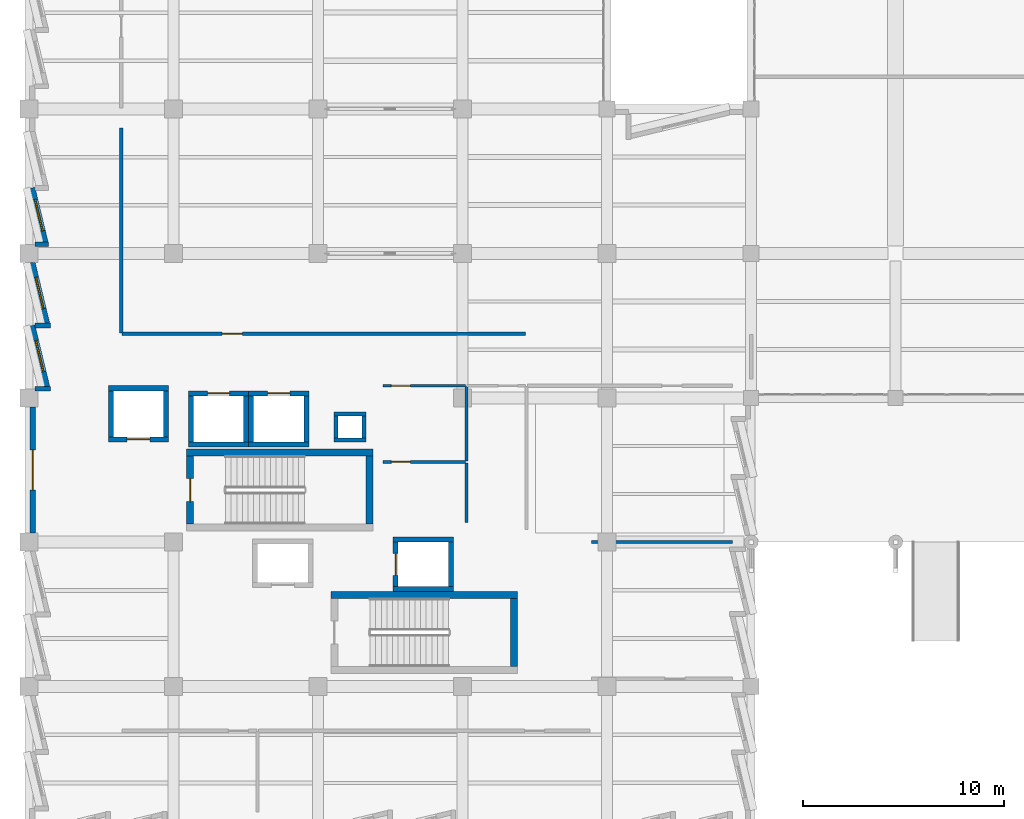
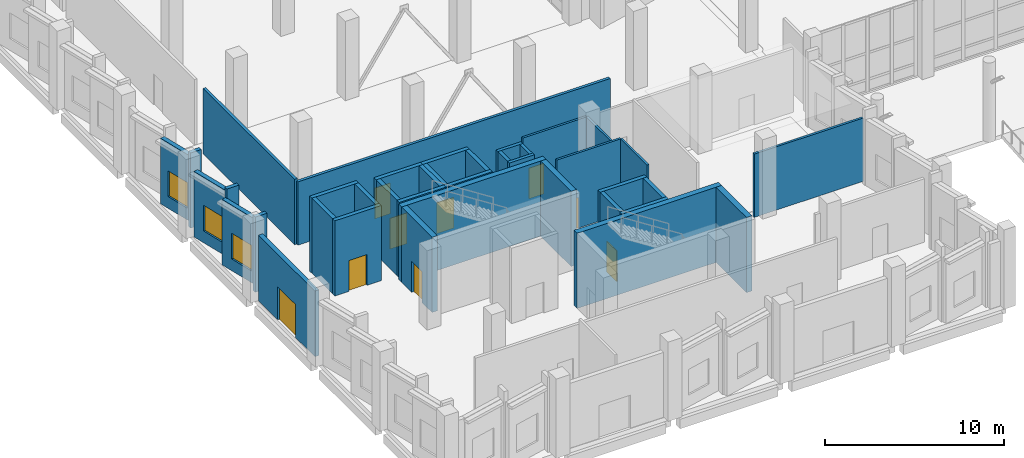
# One storey, part 103 of 137: 39 walls, 9 doors, 3 windows, 12 openings.
"""IFC4 building model written with IfcOpenShell, lengths in metres."""

from ifc_helpers import new_model, si_unit, direction, frame, frame_2d, origin, place, context, subcontext, project, spatial, rectangle, extrude, material, layer, layer_set, type_object, element, fill, save


model = new_model("IFC4")

# Units and contexts
model_context = context("Model", 3, precision=1e-05, world=origin(), true_north=direction((0.0, 1.0)))
body_context = subcontext(model_context, "Body", "Model", "MODEL_VIEW")
ifc_project = project(units=[si_unit("LENGTHUNIT", "METRE"), si_unit("AREAUNIT", "SQUARE_METRE"), si_unit("VOLUMEUNIT", "CUBIC_METRE"), si_unit("PLANEANGLEUNIT", "RADIAN"), si_unit("MASSUNIT", "GRAM", prefix="KILO")], contexts=[model_context])

# Site, building, storey
site_placement = place(None, origin())
site = spatial("IfcSite", under=ifc_project, at=site_placement, CompositionType="ELEMENT")
building_placement = place(site_placement, origin())
building = spatial("IfcBuilding", under=site, at=building_placement, Name="Kalmorath City Hall", CompositionType="ELEMENT")
storey_placement = place(building_placement, origin())
storey = spatial("IfcBuildingStorey", under=building, at=storey_placement, Name="L00", CompositionType="ELEMENT", Elevation=0.0)

# Wall
ifc_material_1 = material(Name="Concrete C50/60", Category="concrete")
ifc_layer_1 = layer(ifc_material_1, 0.35009765625)
ifc_layer_set_1 = layer_set([ifc_layer_1], Name="Concrete C50/60")
wall_type_1 = type_object("IfcWallType", Name="Concrete core shear wall 350", PredefinedType="SHEAR", material=ifc_layer_set_1)
wall_1_placement = place(storey_placement, frame((17.14990234375, 18.875, 0.0), z_axis=(0.0, 0.0, 1.0), x_axis=(-1.0, 0.0, 0.0)))
element("IfcWall", 1, at=wall_1_placement, inside=storey, type_object=wall_type_1, Name="L00 C1 stair core shear wall N", PredefinedType="SHEAR", context=body_context, shape_type="SweptSolid", body=[
    extrude(rectangle(XDim=9.2998046875, YDim=0.35009765625, at=frame_2d((4.64990234375, 0.0))), origin(), (0.0, 0.0, 1.0), 5.1201171875),
])

# Wall, opening, door
wall_2_placement = place(storey_placement, frame((8.02490234375, 18.699951171875, 0.0), z_axis=(0.0, 0.0, 1.0), x_axis=(0.0, -1.0, 0.0)))
wall_2 = element("IfcWall", 2, at=wall_2_placement, inside=storey, type_object=wall_type_1, Name="L00 C1 stair core shear wall W", PredefinedType="SHEAR", context=body_context, shape_type="SweptSolid", body=[
    extrude(rectangle(XDim=3.39990234375, YDim=0.35009765625, at=frame_2d((1.699951171875, 0.0))), origin(), (0.0, 0.0, 1.0), 5.1201171875),
])
opening_1_placement = place(wall_2_placement, frame((1.125, 0.0, 0.0)))
opening_1 = element("IfcOpeningElement", 3, at=opening_1_placement, cuts=wall_2, Name="Opening D-L00-002", PredefinedType="OPENING", context=body_context, shape_type="SweptSolid", body=[
    extrude(rectangle(XDim=1.14990234375, YDim=2.10009765625, at=frame_2d((0.574951171875, 1.050048828125))), frame((0.0, 0.18505859375, 0.0), z_axis=(0.0, -1.0, 0.0), x_axis=(1.0, 0.0, 0.0)), (0.0, 0.0, 1.0), 0.3701171875),
])
ifc_material_2 = material(Name="Galvanised steel fire door", Category="steel")
door_type_1 = type_object("IfcDoorType", Name="Stair enclosure 90-min fire door 1150x2100", OperationType="NOTDEFINED", PredefinedType="DOOR", material=ifc_material_2)
door_1_placement = place(opening_1_placement, frame((1.14990234375, 0.0, 0.0), z_axis=(0.0, 0.0, 1.0), x_axis=(-1.0, 0.0, 0.0)))
door_1 = element("IfcDoor", 4, at=door_1_placement, inside=storey, type_object=door_type_1, Name="L00 door D-L00-002", OperationType="SINGLE_SWING_RIGHT", OverallHeight=2.10009765625, OverallWidth=1.14990234375, PredefinedType="DOOR", context=body_context, shape_type="SweptSolid", body=[
    extrude(rectangle(XDim=1.14990234375, YDim=2.10009765625, at=frame_2d((0.574951171875, 1.050048828125))), frame((0.0, 0.02490234375, 0.0), z_axis=(0.0, -1.0, 0.0), x_axis=(1.0, 0.0, 0.0)), (0.0, 0.0, 1.0), 0.050048828125),
])
fill(opening_1, door_1)

# Walls
wall_3_placement = place(storey_placement, frame((16.97509765625, 15.300048828125, 0.0), z_axis=(0.0, 0.0, 1.0), x_axis=(0.0, 1.0, 0.0)))
element("IfcWall", 5, at=wall_3_placement, inside=storey, type_object=wall_type_1, Name="L00 C1 stair core shear wall E", PredefinedType="SHEAR", context=body_context, shape_type="SweptSolid", body=[
    extrude(rectangle(XDim=3.39990234375, YDim=0.35009765625, at=frame_2d((1.699951171875, 0.0))), origin(), (0.0, 0.0, 1.0), 5.1201171875),
])
wall_4_placement = place(storey_placement, frame((24.35009765625, 11.77490234375, 0.0), z_axis=(0.0, 0.0, 1.0), x_axis=(-1.0, 0.0, 0.0)))
element("IfcWall", 6, at=wall_4_placement, inside=storey, type_object=wall_type_1, Name="L00 C2 stair core shear wall N", PredefinedType="SHEAR", context=body_context, shape_type="SweptSolid", body=[
    extrude(rectangle(XDim=9.300048828125, YDim=0.35009765625, at=frame_2d((4.64990234375, 0.0))), origin(), (0.0, 0.0, 1.0), 5.1201171875),
])
wall_5_placement = place(storey_placement, frame((24.175048828125, 8.199951171875, 0.0), z_axis=(0.0, 0.0, 1.0), x_axis=(0.0, 1.0, 0.0)))
element("IfcWall", 7, at=wall_5_placement, inside=storey, type_object=wall_type_1, Name="L00 C2 stair core shear wall E", PredefinedType="SHEAR", context=body_context, shape_type="SweptSolid", body=[
    extrude(rectangle(XDim=3.400146484375, YDim=0.35009765625, at=frame_2d((1.7001953125, 0.0))), origin(), (0.0, 0.0, 1.0), 5.1201171875),
])

# Wall, opening, door
ifc_material_3 = material(Name="Concrete C50/60", Category="concrete")
ifc_layer_2 = layer(ifc_material_3, 0.25)
ifc_layer_set_2 = layer_set([ifc_layer_2], Name="Concrete C50/60")
wall_type_2 = type_object("IfcWallType", Name="Concrete lift shaft wall 250", PredefinedType="SHEAR", material=ifc_layer_set_2)
wall_6_placement = place(storey_placement, frame((3.949951171875, 19.52490234375, 0.0), z_axis=(0.0, 0.0, 1.0), x_axis=(1.0, 0.0, 0.0)))
wall_6 = element("IfcWall", 8, at=wall_6_placement, inside=storey, type_object=wall_type_2, Name="L00 FL1 lift shaft wall -y", PredefinedType="SHEAR", context=body_context, shape_type="SweptSolid", body=[
    extrude(rectangle(XDim=3.0, YDim=0.25, at=frame_2d((1.5, 0.0))), origin(), (0.0, 0.0, 1.0), 5.1201171875),
])
opening_2_placement = place(wall_6_placement, frame((0.925048828125, 0.0, 0.0)))
opening_2 = element("IfcOpeningElement", 9, at=opening_2_placement, cuts=wall_6, Name="Opening LD-011", PredefinedType="OPENING", context=body_context, shape_type="SweptSolid", body=[
    extrude(rectangle(XDim=1.14990234375, YDim=2.10009765625, at=frame_2d((0.574951171875, 1.050048828125))), frame((0.0, 0.135009765625, 0.0), z_axis=(0.0, -1.0, 0.0), x_axis=(1.0, 0.0, 0.0)), (0.0, 0.0, 1.0), 0.27001953125),
])
ifc_material_4 = material(Name="Stainless steel sliding landing door", Category="steel")
door_type_2 = type_object("IfcDoorType", Name="Firefighting lift sliding landing door 1150x2100", OperationType="SLIDING_TO_RIGHT", PredefinedType="DOOR", material=ifc_material_4)
door_2_placement = place(opening_2_placement, origin())
door_2 = element("IfcDoor", 10, at=door_2_placement, inside=storey, type_object=door_type_2, Name="L00 door LD-011", OperationType="SLIDING_TO_RIGHT", OverallHeight=2.10009765625, OverallWidth=1.14990234375, PredefinedType="DOOR", context=body_context, shape_type="SweptSolid", body=[
    extrude(rectangle(XDim=1.14990234375, YDim=2.10009765625, at=frame_2d((0.574951171875, 1.050048828125))), frame((0.0, 0.02490234375, 0.0), z_axis=(0.0, -1.0, 0.0), x_axis=(1.0, 0.0, 0.0)), (0.0, 0.0, 1.0), 0.050048828125),
])
fill(opening_2, door_2)

# Walls
wall_7_placement = place(storey_placement, frame((6.949951171875, 22.074951171875, 0.0), z_axis=(0.0, 0.0, 1.0), x_axis=(-1.0, 0.0, 0.0)))
element("IfcWall", 11, at=wall_7_placement, inside=storey, type_object=wall_type_2, Name="L00 FL1 lift shaft wall +y", PredefinedType="SHEAR", context=body_context, shape_type="SweptSolid", body=[
    extrude(rectangle(XDim=3.0, YDim=0.25, at=frame_2d((1.5, 0.0))), origin(), (0.0, 0.0, 1.0), 5.1201171875),
])
for number, where, z_axis, x_axis, name in (
    (12, (4.074951171875, 21.949951171875, 0.0), (0.0, 0.0, 1.0), (0.0, -1.0, 0.0), "L00 FL1 lift shaft wall -x"),
    (13, (6.824951171875, 19.64990234375, 0.0), (0.0, 0.0, 1.0), (0.0, 1.0, 0.0), "L00 FL1 lift shaft wall +x"),
):
    element("IfcWall", number, at=place(storey_placement, frame(where, z_axis=z_axis, x_axis=x_axis)), inside=storey, type_object=wall_type_2, Name=name, PredefinedType="SHEAR", context=body_context, shape_type="SweptSolid", body=[
        extrude(rectangle(XDim=2.300048828125, YDim=0.25, at=frame_2d((1.14990234375, 0.0))), origin(), (0.0, 0.0, 1.0), 5.1201171875),
    ])
wall_8_placement = place(storey_placement, frame((7.949951171875, 19.27490234375, 0.0), z_axis=(0.0, 0.0, 1.0), x_axis=(1.0, 0.0, 0.0)))
element("IfcWall", 14, at=wall_8_placement, inside=storey, type_object=wall_type_2, Name="L00 PL1 lift shaft wall -y", PredefinedType="SHEAR", context=body_context, shape_type="SweptSolid", body=[
    extrude(rectangle(XDim=3.0, YDim=0.25, at=frame_2d((1.5, 0.0))), origin(), (0.0, 0.0, 1.0), 5.1201171875),
])

# Wall, opening, door
wall_9_placement = place(storey_placement, frame((10.949951171875, 21.824951171875, 0.0), z_axis=(0.0, 0.0, 1.0), x_axis=(-1.0, 0.0, 0.0)))
wall_9 = element("IfcWall", 15, at=wall_9_placement, inside=storey, type_object=wall_type_2, Name="L00 PL1 lift shaft wall +y", PredefinedType="SHEAR", context=body_context, shape_type="SweptSolid", body=[
    extrude(rectangle(XDim=3.0, YDim=0.25, at=frame_2d((1.5, 0.0))), origin(), (0.0, 0.0, 1.0), 5.1201171875),
])
opening_3_placement = place(wall_9_placement, frame((0.949951171875, 0.0, 0.0)))
opening_3 = element("IfcOpeningElement", 16, at=opening_3_placement, cuts=wall_9, Name="Opening LD-020", PredefinedType="OPENING", context=body_context, shape_type="SweptSolid", body=[
    extrude(rectangle(XDim=1.10009765625, YDim=2.10009765625, at=frame_2d((0.550048828125, 1.050048828125))), frame((0.0, 0.135009765625, 0.0), z_axis=(0.0, -1.0, 0.0), x_axis=(1.0, 0.0, 0.0)), (0.0, 0.0, 1.0), 0.27001953125),
])
ifc_material_5 = material(Name="Stainless steel sliding landing door", Category="steel")
door_type_3 = type_object("IfcDoorType", Name="Passenger lift sliding landing door 1100x2100", OperationType="SLIDING_TO_LEFT", PredefinedType="DOOR", material=ifc_material_5)
door_3_placement = place(opening_3_placement, origin())
door_3 = element("IfcDoor", 17, at=door_3_placement, inside=storey, type_object=door_type_3, Name="L00 door LD-020", OperationType="SLIDING_TO_LEFT", OverallHeight=2.10009765625, OverallWidth=1.10009765625, PredefinedType="DOOR", context=body_context, shape_type="SweptSolid", body=[
    extrude(rectangle(XDim=1.10009765625, YDim=2.10009765625, at=frame_2d((0.550048828125, 1.050048828125))), frame((0.0, 0.02490234375, 0.0), z_axis=(0.0, -1.0, 0.0), x_axis=(1.0, 0.0, 0.0)), (0.0, 0.0, 1.0), 0.050048828125),
])
fill(opening_3, door_3)

# Walls
for number, where, z_axis, x_axis, name in (
    (18, (8.074951171875, 21.699951171875, 0.0), (0.0, 0.0, 1.0), (0.0, -1.0, 0.0), "L00 PL1 lift shaft wall -x"),
    (19, (10.824951171875, 19.39990234375, 0.0), (0.0, 0.0, 1.0), (0.0, 1.0, 0.0), "L00 PL1 lift shaft wall +x"),
):
    element("IfcWall", number, at=place(storey_placement, frame(where, z_axis=z_axis, x_axis=x_axis)), inside=storey, type_object=wall_type_2, Name=name, PredefinedType="SHEAR", context=body_context, shape_type="SweptSolid", body=[
        extrude(rectangle(XDim=2.300048828125, YDim=0.25, at=frame_2d((1.14990234375, 0.0))), origin(), (0.0, 0.0, 1.0), 5.1201171875),
    ])
wall_10_placement = place(storey_placement, frame((10.949951171875, 19.27490234375, 0.0), z_axis=(0.0, 0.0, 1.0), x_axis=(1.0, 0.0, 0.0)))
element("IfcWall", 20, at=wall_10_placement, inside=storey, type_object=wall_type_2, Name="L00 PL2 lift shaft wall -y", PredefinedType="SHEAR", context=body_context, shape_type="SweptSolid", body=[
    extrude(rectangle(XDim=3.0, YDim=0.25, at=frame_2d((1.5, 0.0))), origin(), (0.0, 0.0, 1.0), 5.1201171875),
])

# Wall, opening, door
wall_11_placement = place(storey_placement, frame((13.949951171875, 21.824951171875, 0.0), z_axis=(0.0, 0.0, 1.0), x_axis=(-1.0, 0.0, 0.0)))
wall_11 = element("IfcWall", 21, at=wall_11_placement, inside=storey, type_object=wall_type_2, Name="L00 PL2 lift shaft wall +y", PredefinedType="SHEAR", context=body_context, shape_type="SweptSolid", body=[
    extrude(rectangle(XDim=3.0, YDim=0.25, at=frame_2d((1.5, 0.0))), origin(), (0.0, 0.0, 1.0), 5.1201171875),
])
opening_4_placement = place(wall_11_placement, frame((0.949951171875, 0.0, 0.0)))
opening_4 = element("IfcOpeningElement", 22, at=opening_4_placement, cuts=wall_11, Name="Opening LD-029", PredefinedType="OPENING", context=body_context, shape_type="SweptSolid", body=[
    extrude(rectangle(XDim=1.10009765625, YDim=2.10009765625, at=frame_2d((0.550048828125, 1.050048828125))), frame((0.0, 0.135009765625, 0.0), z_axis=(0.0, -1.0, 0.0), x_axis=(1.0, 0.0, 0.0)), (0.0, 0.0, 1.0), 0.27001953125),
])
door_4_placement = place(opening_4_placement, origin())
door_4 = element("IfcDoor", 23, at=door_4_placement, inside=storey, type_object=door_type_3, Name="L00 door LD-029", OperationType="SLIDING_TO_LEFT", OverallHeight=2.10009765625, OverallWidth=1.10009765625, PredefinedType="DOOR", context=body_context, shape_type="SweptSolid", body=[
    extrude(rectangle(XDim=1.10009765625, YDim=2.10009765625, at=frame_2d((0.550048828125, 1.050048828125))), frame((0.0, 0.02490234375, 0.0), z_axis=(0.0, -1.0, 0.0), x_axis=(1.0, 0.0, 0.0)), (0.0, 0.0, 1.0), 0.050048828125),
])
fill(opening_4, door_4)

# Walls
for number, where, z_axis, x_axis, name in (
    (24, (11.074951171875, 21.699951171875, 0.0), (0.0, 0.0, 1.0), (0.0, -1.0, 0.0), "L00 PL2 lift shaft wall -x"),
    (25, (13.824951171875, 19.39990234375, 0.0), (0.0, 0.0, 1.0), (0.0, 1.0, 0.0), "L00 PL2 lift shaft wall +x"),
):
    element("IfcWall", number, at=place(storey_placement, frame(where, z_axis=z_axis, x_axis=x_axis)), inside=storey, type_object=wall_type_2, Name=name, PredefinedType="SHEAR", context=body_context, shape_type="SweptSolid", body=[
        extrude(rectangle(XDim=2.300048828125, YDim=0.25, at=frame_2d((1.14990234375, 0.0))), origin(), (0.0, 0.0, 1.0), 5.1201171875),
    ])
for number, where, z_axis, x_axis, name in (
    (26, (18.14990234375, 12.074951171875, 0.0), (0.0, 0.0, 1.0), (1.0, 0.0, 0.0), "L00 PL3 lift shaft wall -y"),
    (27, (21.14990234375, 14.52490234375, 0.0), (0.0, 0.0, 1.0), (-1.0, 0.0, 0.0), "L00 PL3 lift shaft wall +y"),
):
    element("IfcWall", number, at=place(storey_placement, frame(where, z_axis=z_axis, x_axis=x_axis)), inside=storey, type_object=wall_type_2, Name=name, PredefinedType="SHEAR", context=body_context, shape_type="SweptSolid", body=[
        extrude(rectangle(XDim=3.0, YDim=0.25, at=frame_2d((1.5, 0.0))), origin(), (0.0, 0.0, 1.0), 5.1201171875),
    ])

# Wall, opening, door
wall_12_placement = place(storey_placement, frame((18.27490234375, 14.39990234375, 0.0), z_axis=(0.0, 0.0, 1.0), x_axis=(0.0, -1.0, 0.0)))
wall_12 = element("IfcWall", 28, at=wall_12_placement, inside=storey, type_object=wall_type_2, Name="L00 PL3 lift shaft wall -x", PredefinedType="SHEAR", context=body_context, shape_type="SweptSolid", body=[
    extrude(rectangle(XDim=2.199951171875, YDim=0.25, at=frame_2d((1.10009765625, 0.0))), origin(), (0.0, 0.0, 1.0), 5.1201171875),
])
opening_5_placement = place(wall_12_placement, frame((0.550048828125, 0.0, 0.0)))
opening_5 = element("IfcOpeningElement", 29, at=opening_5_placement, cuts=wall_12, Name="Opening LD-056", PredefinedType="OPENING", context=body_context, shape_type="SweptSolid", body=[
    extrude(rectangle(XDim=1.10009765625, YDim=2.10009765625, at=frame_2d((0.550048828125, 1.050048828125))), frame((0.0, 0.135009765625, 0.0), z_axis=(0.0, -1.0, 0.0), x_axis=(1.0, 0.0, 0.0)), (0.0, 0.0, 1.0), 0.27001953125),
])
door_5_placement = place(opening_5_placement, origin())
door_5 = element("IfcDoor", 30, at=door_5_placement, inside=storey, type_object=door_type_3, Name="L00 door LD-056", OperationType="SLIDING_TO_LEFT", OverallHeight=2.10009765625, OverallWidth=1.10009765625, PredefinedType="DOOR", context=body_context, shape_type="SweptSolid", body=[
    extrude(rectangle(XDim=1.10009765625, YDim=2.10009765625, at=frame_2d((0.550048828125, 1.050048828125))), frame((0.0, 0.02490234375, 0.0), z_axis=(0.0, -1.0, 0.0), x_axis=(1.0, 0.0, 0.0)), (0.0, 0.0, 1.0), 0.050048828125),
])
fill(opening_5, door_5)

# Walls
wall_13_placement = place(storey_placement, frame((21.02490234375, 12.199951171875, 0.0), z_axis=(0.0, 0.0, 1.0), x_axis=(0.0, 1.0, 0.0)))
element("IfcWall", 31, at=wall_13_placement, inside=storey, type_object=wall_type_2, Name="L00 PL3 lift shaft wall +x", PredefinedType="SHEAR", context=body_context, shape_type="SweptSolid", body=[
    extrude(rectangle(XDim=2.199951171875, YDim=0.25, at=frame_2d((1.10009765625, 0.0))), origin(), (0.0, 0.0, 1.0), 5.1201171875),
])
ifc_material_6 = material(Name="Concrete C40/50", Category="concrete")
ifc_layer_3 = layer(ifc_material_6, 0.199951171875)
ifc_layer_set_3 = layer_set([ifc_layer_3], Name="Concrete C40/50")
wall_type_3 = type_object("IfcWallType", Name="Concrete service riser wall 200", PredefinedType="SOLIDWALL", material=ifc_layer_set_3)
for number, where, z_axis, x_axis, name in (
    (32, (15.199951171875, 19.5, 0.0), (0.0, 0.0, 1.0), (1.0, 0.0, 0.0), "L00 RSR-1 riser shaft wall S"),
    (33, (16.800048828125, 20.780029296875, 0.0), (0.0, 0.0, 1.0), (-1.0, 0.0, 0.0), "L00 RSR-1 riser shaft wall N"),
):
    element("IfcWall", number, at=place(storey_placement, frame(where, z_axis=z_axis, x_axis=x_axis)), inside=storey, type_object=wall_type_3, Name=name, PredefinedType="SOLIDWALL", context=body_context, shape_type="SweptSolid", body=[
        extrude(rectangle(XDim=1.60009765625, YDim=0.199951171875, at=frame_2d((0.800048828125, 0.0))), origin(), (0.0, 0.0, 1.0), 5.1201171875),
    ])
for number, where, z_axis, x_axis, name in (
    (34, (15.300048828125, 20.679931640625, 0.0), (0.0, 0.0, 1.0), (0.0, -1.0, 0.0), "L00 RSR-1 riser shaft wall W"),
    (35, (16.699951171875, 19.60009765625, 0.0), (0.0, 0.0, 1.0), (0.0, 1.0, 0.0), "L00 RSR-1 riser shaft wall E"),
):
    element("IfcWall", number, at=place(storey_placement, frame(where, z_axis=z_axis, x_axis=x_axis)), inside=storey, type_object=wall_type_3, Name=name, PredefinedType="SOLIDWALL", context=body_context, shape_type="SweptSolid", body=[
        extrude(rectangle(XDim=1.079833984375, YDim=0.199951171875, at=frame_2d((0.5400390625, 0.0))), origin(), (0.0, 0.0, 1.0), 5.1201171875),
    ])
ifc_material_7 = material(Name="Acoustic metal-stud gypsum partition")
ifc_layer_4 = layer(ifc_material_7, 0.14990234375)
ifc_layer_set_4 = layer_set([ifc_layer_4], Name="Acoustic metal-stud gypsum partition")
wall_type_4 = type_object("IfcWallType", Name="Departmental suite partition 150", PredefinedType="PARTITIONING", material=ifc_layer_set_4)
wall_14_placement = place(storey_placement, frame((28.0400390625, 14.39990234375, 0.0), z_axis=(0.0, 0.0, 1.0), x_axis=(1.0, 0.0, 0.0)))
element("IfcWall", 36, at=wall_14_placement, inside=storey, type_object=wall_type_4, Name="L00 interior partition PW4 #48", PredefinedType="PARTITIONING", context=body_context, shape_type="SweptSolid", body=[
    extrude(rectangle(XDim=7.02001953125, YDim=0.14990234375, at=frame_2d((3.510009765625, 0.0))), origin(), (0.0, 0.0, 1.0), 4.31103515625),
])
ifc_material_8 = material(Name="Fire-rated acoustic gypsum partition")
ifc_layer_5 = layer(ifc_material_8, 0.179931640625)
ifc_layer_set_5 = layer_set([ifc_layer_5], Name="Fire-rated acoustic gypsum partition")
wall_type_5 = type_object("IfcWallType", Name="One-hour corridor fire partition 180", PredefinedType="PARTITIONING", material=ifc_layer_set_5)
wall_15_placement = place(storey_placement, frame((4.60009765625, 24.840087890625, 0.0), z_axis=(0.0, 0.0, 1.0), x_axis=(0.0, 1.0, 0.0)))
element("IfcWall", 37, at=wall_15_placement, inside=storey, type_object=wall_type_5, Name="L00 interior partition PW2 #19", PredefinedType="PARTITIONING", context=body_context, shape_type="SweptSolid", body=[
    extrude(rectangle(XDim=10.219970703125, YDim=0.179931640625, at=frame_2d((5.10986328125, 0.0))), origin(), (0.0, 0.0, 1.0), 4.449951171875),
])

# Wall, opening, door
wall_16_placement = place(storey_placement, frame((4.639892578125, 24.800048828125, 0.0), z_axis=(0.0, 0.0, 1.0), x_axis=(1.0, 0.0, 0.0)))
wall_16 = element("IfcWall", 38, at=wall_16_placement, inside=storey, type_object=wall_type_5, Name="L00 interior partition PW2 #24", PredefinedType="PARTITIONING", context=body_context, shape_type="SweptSolid", body=[
    extrude(rectangle(XDim=20.1201171875, YDim=0.179931640625, at=frame_2d((10.06005859375, 0.0))), origin(), (0.0, 0.0, 1.0), 4.31103515625),
])
opening_6_placement = place(wall_16_placement, frame((4.989990234375, 0.0, 0.0)))
opening_6 = element("IfcOpeningElement", 39, at=opening_6_placement, cuts=wall_16, Name="Opening D-L00-126", PredefinedType="OPENING", context=body_context, shape_type="SweptSolid", body=[
    extrude(rectangle(XDim=1.0, YDim=2.10009765625, at=frame_2d((0.5, 1.050048828125))), frame((0.0, 0.099853515625, 0.0), z_axis=(0.0, -1.0, 0.0), x_axis=(1.0, 0.0, 0.0)), (0.0, 0.0, 1.0), 0.199951171875),
])
ifc_material_9 = material(Name="Hardwood fire door", Category="wood")
door_type_4 = type_object("IfcDoorType", Name="Corridor 60-min fire door 1000x2100", OperationType="NOTDEFINED", PredefinedType="DOOR", material=ifc_material_9)
door_6_placement = place(opening_6_placement, origin())
door_6 = element("IfcDoor", 40, at=door_6_placement, inside=storey, type_object=door_type_4, Name="L00 door D-L00-126", OperationType="SINGLE_SWING_RIGHT", OverallHeight=2.10009765625, OverallWidth=1.0, PredefinedType="DOOR", context=body_context, shape_type="SweptSolid", body=[
    extrude(rectangle(XDim=1.0, YDim=2.10009765625, at=frame_2d((0.5, 1.050048828125))), frame((0.0, 0.02490234375, 0.0), z_axis=(0.0, -1.0, 0.0), x_axis=(1.0, 0.0, 0.0)), (0.0, 0.0, 1.0), 0.050048828125),
])
fill(opening_6, door_6)

# Walls
ifc_material_10 = material(Name="Precast concrete C40/50", Category="concrete")
ifc_layer_6 = layer(ifc_material_10, 0.239990234375)
ifc_layer_set_6 = layer_set([ifc_layer_6], Name="Precast concrete C40/50")
wall_type_6 = type_object("IfcWallType", Name="Precast sawtooth cheek wall 240", PredefinedType="SOLIDWALL", material=ifc_layer_set_6)
for number, where, z_axis, x_axis, name in (
    (41, (1.06103515625, 22.051025390625, 0.0), (0.0, 0.0, 1.0), (-1.0, 0.0, 0.0), "L00 sawtooth return cheek #12"),
    (42, (1.06103515625, 25.199951171875, 0.0), (0.0, 0.0, 1.0), (-1.0, 0.0, 0.0), "L00 sawtooth return cheek #14"),
):
    element("IfcWall", number, at=place(storey_placement, frame(where, z_axis=z_axis, x_axis=x_axis)), inside=storey, type_object=wall_type_6, Name=name, PredefinedType="SOLIDWALL", context=body_context, shape_type="SweptSolid", body=[
        extrude(rectangle(XDim=0.76904296875, YDim=0.239990234375, at=frame_2d((0.384521484375, 0.0))), origin(), (0.0, 0.0, 1.0), 5.1201171875),
    ])
wall_17_placement = place(storey_placement, frame((0.9794921875, 29.2509765625, 0.0), z_axis=(0.0, 0.0, 1.0), x_axis=(-1.0, 0.0, 0.0)))
element("IfcWall", 43, at=wall_17_placement, inside=storey, type_object=wall_type_6, Name="L00 sawtooth return cheek #17", PredefinedType="SOLIDWALL", context=body_context, shape_type="SweptSolid", body=[
    extrude(rectangle(XDim=0.6875, YDim=0.239990234375, at=frame_2d((0.34375, 0.0))), origin(), (0.0, 0.0, 1.0), 5.1201171875),
])

# Wall, opening, door
ifc_material_11 = material(Name="Precast concrete C40/50", Category="concrete")
ifc_layer_7 = layer(ifc_material_11, 0.280029296875)
ifc_layer_set_7 = layer_set([ifc_layer_7], Name="Precast concrete C40/50")
wall_type_7 = type_object("IfcWallType", Name="Precast sawtooth facade wall 280", PredefinedType="SOLIDWALL", material=ifc_layer_set_7)
wall_18_placement = place(storey_placement, frame((0.179931640625, 14.85107421875, 0.0), z_axis=(0.0, 0.0, 1.0), x_axis=(0.0, 1.0, 0.0)))
wall_18 = element("IfcWall", 44, at=wall_18_placement, inside=storey, type_object=wall_type_7, Name="L00 entrance portal wall #10", PredefinedType="SOLIDWALL", context=body_context, shape_type="SweptSolid", body=[
    extrude(rectangle(XDim=6.2978515625, YDim=0.280029296875, at=frame_2d((3.14892578125, 0.0))), origin(), (0.0, 0.0, 1.0), 4.4609375),
])
opening_7_placement = place(wall_18_placement, frame((2.14892578125, 0.0, 0.0)))
opening_7 = element("IfcOpeningElement", 45, at=opening_7_placement, cuts=wall_18, Name="Opening D-E001", PredefinedType="OPENING", context=body_context, shape_type="SweptSolid", body=[
    extrude(rectangle(XDim=2.0, YDim=2.25, at=frame_2d((1.0, 1.125))), frame((0.0, 0.14990234375, 0.0), z_axis=(0.0, -1.0, 0.0), x_axis=(1.0, 0.0, 0.0)), (0.0, 0.0, 1.0), 0.300048828125),
])
ifc_material_12 = material(Name="Galvanised steel and impact glass", Category="steel")
door_type_5 = type_object("IfcDoorType", Name="Hurricane exit discharge double door 2000x2250", OperationType="DOUBLE_DOOR_SINGLE_SWING", PredefinedType="DOOR", material=ifc_material_12)
door_7_placement = place(opening_7_placement, origin())
door_7 = element("IfcDoor", 46, at=door_7_placement, inside=storey, type_object=door_type_5, Name="L00 exterior door D-E001", OperationType="DOUBLE_DOOR_SINGLE_SWING", OverallHeight=2.25, OverallWidth=2.0, PredefinedType="DOOR", context=body_context, shape_type="SweptSolid", body=[
    extrude(rectangle(XDim=2.0, YDim=2.25, at=frame_2d((1.0, 1.125))), frame((0.0, 0.02490234375, 0.0), z_axis=(0.0, -1.0, 0.0), x_axis=(1.0, 0.0, 0.0)), (0.0, 0.0, 1.0), 0.050048828125),
])
fill(opening_7, door_7)

# Wall, opening, window
wall_19_placement = place(storey_placement, frame((0.893798828125, 22.143310546875, 0.0), z_axis=(0.0, 0.0, 1.0), x_axis=(-0.233461073712, 0.972366148661, 0.0)))
wall_19 = element("IfcWall", 47, at=wall_19_placement, inside=storey, type_object=wall_type_7, Name="L00 sawtooth precast frame #11", PredefinedType="SOLIDWALL", context=body_context, shape_type="SweptSolid", body=[
    extrude(rectangle(XDim=3.1435546875, YDim=0.280029296875, at=frame_2d((1.57177734375, 0.0))), origin(), (0.0, 0.0, 1.0), 4.4609375),
])
opening_8_placement = place(wall_19_placement, frame((0.771728515625, 0.0, 0.800048828125)))
opening_8 = element("IfcOpeningElement", 48, at=opening_8_placement, cuts=wall_19, Name="Opening WN3", PredefinedType="OPENING", context=body_context, shape_type="SweptSolid", body=[
    extrude(rectangle(XDim=1.60009765625, YDim=1.75, at=frame_2d((0.800048828125, 0.875))), frame((0.0, 0.14990234375, 0.0), z_axis=(0.0, -1.0, 0.0), x_axis=(1.0, 0.0, 0.0)), (0.0, 0.0, 1.0), 0.300048828125),
])
ifc_material_13 = material(Name="Aluminium and laminated glass", Category="aluminium")
window_type = type_object("IfcWindowType", Name="Sawtooth upper window 1600x1750", PartitioningType="SINGLE_PANEL", PredefinedType="WINDOW", material=ifc_material_13)
window_1_placement = place(opening_8_placement, origin())
window_1 = element("IfcWindow", 49, at=window_1_placement, inside=storey, type_object=window_type, Name="L00 window WN3-5", OverallHeight=1.75, OverallWidth=1.60009765625, PartitioningType="SINGLE_PANEL", PredefinedType="WINDOW", context=body_context, shape_type="SweptSolid", body=[
    extrude(rectangle(XDim=1.60009765625, YDim=1.75, at=frame_2d((0.800048828125, 0.875))), frame((0.0, 0.030029296875, 0.0), z_axis=(0.0, -1.0, 0.0), x_axis=(1.0, 0.0, 0.0)), (0.0, 0.0, 1.0), 0.06005859375),
])
fill(opening_8, window_1)

wall_20_placement = place(storey_placement, frame((0.893798828125, 25.29248046875, 0.0), z_axis=(0.0, 0.0, 1.0), x_axis=(-0.233461073712, 0.972366148661, 0.0)))
wall_20 = element("IfcWall", 50, at=wall_20_placement, inside=storey, type_object=wall_type_7, Name="L00 sawtooth precast frame #13", PredefinedType="SOLIDWALL", context=body_context, shape_type="SweptSolid", body=[
    extrude(rectangle(XDim=3.1435546875, YDim=0.280029296875, at=frame_2d((1.57177734375, 0.0))), origin(), (0.0, 0.0, 1.0), 4.4609375),
])
opening_9_placement = place(wall_20_placement, frame((0.771728515625, 0.0, 0.800048828125)))
opening_9 = element("IfcOpeningElement", 51, at=opening_9_placement, cuts=wall_20, Name="Opening WN3", PredefinedType="OPENING", context=body_context, shape_type="SweptSolid", body=[
    extrude(rectangle(XDim=1.60009765625, YDim=1.75, at=frame_2d((0.800048828125, 0.875))), frame((0.0, 0.14990234375, 0.0), z_axis=(0.0, -1.0, 0.0), x_axis=(1.0, 0.0, 0.0)), (0.0, 0.0, 1.0), 0.300048828125),
])
window_2_placement = place(opening_9_placement, origin())
window_2 = element("IfcWindow", 52, at=window_2_placement, inside=storey, type_object=window_type, Name="L00 window WN3-6", OverallHeight=1.75, OverallWidth=1.60009765625, PartitioningType="SINGLE_PANEL", PredefinedType="WINDOW", context=body_context, shape_type="SweptSolid", body=[
    extrude(rectangle(XDim=1.60009765625, YDim=1.75, at=frame_2d((0.800048828125, 0.875))), frame((0.0, 0.030029296875, 0.0), z_axis=(0.0, -1.0, 0.0), x_axis=(1.0, 0.0, 0.0)), (0.0, 0.0, 1.0), 0.06005859375),
])
fill(opening_9, window_2)

wall_21_placement = place(storey_placement, frame((0.812255859375, 29.343505859375, 0.0), z_axis=(0.0, 0.0, 1.0), x_axis=(-0.233498544812, 0.972357151242, 0.0)))
wall_21 = element("IfcWall", 53, at=wall_21_placement, inside=storey, type_object=wall_type_7, Name="L00 sawtooth precast frame #16", PredefinedType="SOLIDWALL", context=body_context, shape_type="SweptSolid", body=[
    extrude(rectangle(XDim=2.793701171875, YDim=0.280029296875, at=frame_2d((1.39697265625, 0.0))), origin(), (0.0, 0.0, 1.0), 4.4609375),
])
opening_10_placement = place(wall_21_placement, frame((0.596923828125, 0.0, 0.800048828125)))
opening_10 = element("IfcOpeningElement", 54, at=opening_10_placement, cuts=wall_21, Name="Opening WN3", PredefinedType="OPENING", context=body_context, shape_type="SweptSolid", body=[
    extrude(rectangle(XDim=1.60009765625, YDim=1.75, at=frame_2d((0.800048828125, 0.875))), frame((0.0, 0.14990234375, 0.0), z_axis=(0.0, -1.0, 0.0), x_axis=(1.0, 0.0, 0.0)), (0.0, 0.0, 1.0), 0.300048828125),
])
window_3_placement = place(opening_10_placement, origin())
window_3 = element("IfcWindow", 55, at=window_3_placement, inside=storey, type_object=window_type, Name="L00 window WN3-7", OverallHeight=1.75, OverallWidth=1.60009765625, PartitioningType="SINGLE_PANEL", PredefinedType="WINDOW", context=body_context, shape_type="SweptSolid", body=[
    extrude(rectangle(XDim=1.60009765625, YDim=1.75, at=frame_2d((0.800048828125, 0.875))), frame((0.0, 0.030029296875, 0.0), z_axis=(0.0, -1.0, 0.0), x_axis=(1.0, 0.0, 0.0)), (0.0, 0.0, 1.0), 0.06005859375),
])
fill(opening_10, window_3)

# Wall, opening, door
ifc_material_14 = material(Name="Moisture-resistant fire-rated partition")
ifc_layer_8 = layer(ifc_material_14, 0.139892578125)
ifc_layer_set_8 = layer_set([ifc_layer_8], Name="Moisture-resistant fire-rated partition")
wall_type_8 = type_object("IfcWallType", Name="Restroom wet-wall tile partition 140", PredefinedType="PARTITIONING", material=ifc_layer_set_8)
wall_22_placement = place(storey_placement, frame((17.639892578125, 22.199951171875, 0.0), z_axis=(0.0, 0.0, 1.0), x_axis=(1.0, 0.0, 0.0)))
wall_22 = element("IfcWall", 56, at=wall_22_placement, inside=storey, type_object=wall_type_8, Name="L00 interior partition PW5 #26", PredefinedType="PARTITIONING", context=body_context, shape_type="SweptSolid", body=[
    extrude(rectangle(XDim=4.1201171875, YDim=0.139892578125, at=frame_2d((2.06005859375, 0.0))), origin(), (0.0, 0.0, 1.0), 4.31103515625),
])
opening_11_placement = place(wall_22_placement, frame((0.419921875, 0.0, 0.0)))
opening_11 = element("IfcOpeningElement", 57, at=opening_11_placement, cuts=wall_22, Name="Opening D-L00-162", PredefinedType="OPENING", context=body_context, shape_type="SweptSolid", body=[
    extrude(rectangle(XDim=0.949951171875, YDim=2.080078125, at=frame_2d((0.47509765625, 1.0400390625))), frame((0.0, 0.079833984375, 0.0), z_axis=(0.0, -1.0, 0.0), x_axis=(1.0, 0.0, 0.0)), (0.0, 0.0, 1.0), 0.159912109375),
])
ifc_material_15 = material(Name="Laminate solid-core door")
door_type_6 = type_object("IfcDoorType", Name="Restroom accessible door 950x2080", OperationType="NOTDEFINED", PredefinedType="DOOR", material=ifc_material_15)
door_8_placement = place(opening_11_placement, origin())
door_8 = element("IfcDoor", 58, at=door_8_placement, inside=storey, type_object=door_type_6, Name="L00 door D-L00-162", OperationType="SINGLE_SWING_RIGHT", OverallHeight=2.080078125, OverallWidth=0.949951171875, PredefinedType="DOOR", context=body_context, shape_type="SweptSolid", body=[
    extrude(rectangle(XDim=0.949951171875, YDim=2.080078125, at=frame_2d((0.47509765625, 1.0400390625))), frame((0.0, 0.02490234375, 0.0), z_axis=(0.0, -1.0, 0.0), x_axis=(1.0, 0.0, 0.0)), (0.0, 0.0, 1.0), 0.050048828125),
])
fill(opening_11, door_8)

wall_23_placement = place(storey_placement, frame((17.639892578125, 18.39990234375, 0.0), z_axis=(0.0, 0.0, 1.0), x_axis=(1.0, 0.0, 0.0)))
wall_23 = element("IfcWall", 59, at=wall_23_placement, inside=storey, type_object=wall_type_8, Name="L00 interior partition PW5 #64", PredefinedType="PARTITIONING", context=body_context, shape_type="SweptSolid", body=[
    extrude(rectangle(XDim=4.1201171875, YDim=0.139892578125, at=frame_2d((2.06005859375, 0.0))), origin(), (0.0, 0.0, 1.0), 5.1201171875),
])
opening_12_placement = place(wall_23_placement, frame((0.419921875, 0.0, 0.0)))
opening_12 = element("IfcOpeningElement", 60, at=opening_12_placement, cuts=wall_23, Name="Opening D-L00-161", PredefinedType="OPENING", context=body_context, shape_type="SweptSolid", body=[
    extrude(rectangle(XDim=0.949951171875, YDim=2.080078125, at=frame_2d((0.47509765625, 1.0400390625))), frame((0.0, 0.079833984375, 0.0), z_axis=(0.0, -1.0, 0.0), x_axis=(1.0, 0.0, 0.0)), (0.0, 0.0, 1.0), 0.159912109375),
])
door_9_placement = place(opening_12_placement, origin())
door_9 = element("IfcDoor", 61, at=door_9_placement, inside=storey, type_object=door_type_6, Name="L00 door D-L00-161", OperationType="SINGLE_SWING_LEFT", OverallHeight=2.080078125, OverallWidth=0.949951171875, PredefinedType="DOOR", context=body_context, shape_type="SweptSolid", body=[
    extrude(rectangle(XDim=0.949951171875, YDim=2.080078125, at=frame_2d((0.47509765625, 1.0400390625))), frame((0.0, 0.02490234375, 0.0), z_axis=(0.0, -1.0, 0.0), x_axis=(1.0, 0.0, 0.0)), (0.0, 0.0, 1.0), 0.050048828125),
])
fill(opening_12, door_9)

# Walls
wall_24_placement = place(storey_placement, frame((21.800048828125, 15.389892578125, 0.0), z_axis=(0.0, 0.0, 1.0), x_axis=(0.0, 1.0, 0.0)))
element("IfcWall", 62, at=wall_24_placement, inside=storey, type_object=wall_type_8, Name="L00 interior partition PW5 #65", PredefinedType="PARTITIONING", context=body_context, shape_type="SweptSolid", body=[
    extrude(rectangle(XDim=2.97021484375, YDim=0.139892578125, at=frame_2d((1.485107421875, 0.0))), origin(), (0.0, 0.0, 1.0), 5.1201171875),
])
wall_25_placement = place(storey_placement, frame((21.800048828125, 18.43994140625, 0.0), z_axis=(0.0, 0.0, 1.0), x_axis=(0.0, 1.0, 0.0)))
element("IfcWall", 63, at=wall_25_placement, inside=storey, type_object=wall_type_8, Name="L00 interior partition PW5 #66", PredefinedType="PARTITIONING", context=body_context, shape_type="SweptSolid", body=[
    extrude(rectangle(XDim=3.719970703125, YDim=0.139892578125, at=frame_2d((1.85986328125, 0.0))), origin(), (0.0, 0.0, 1.0), 4.31103515625),
])

save(model, "model.ifc")
